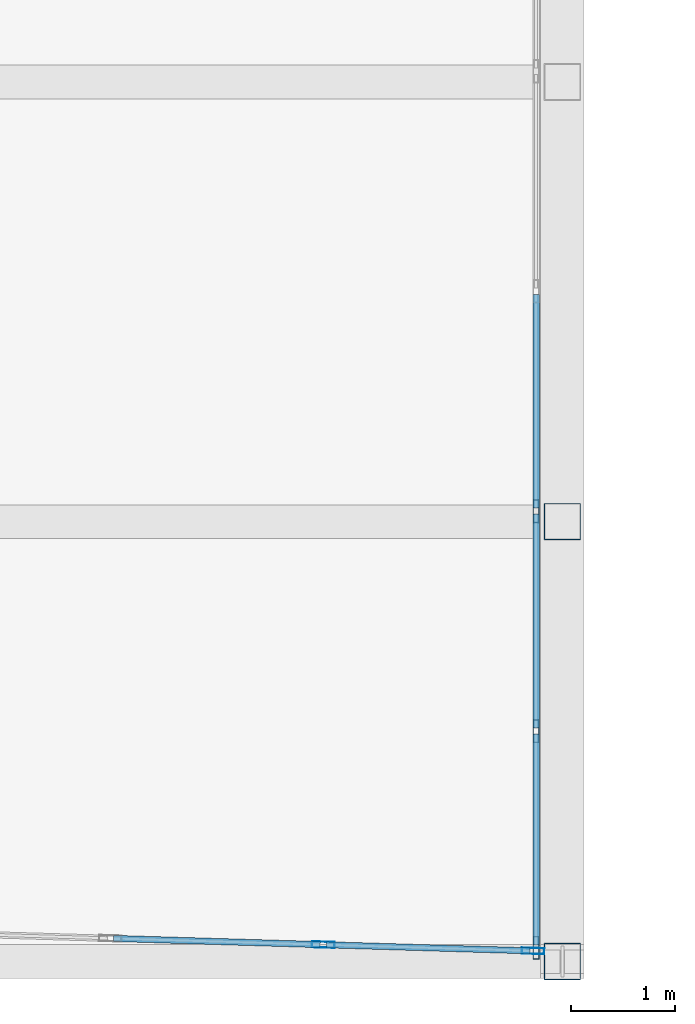
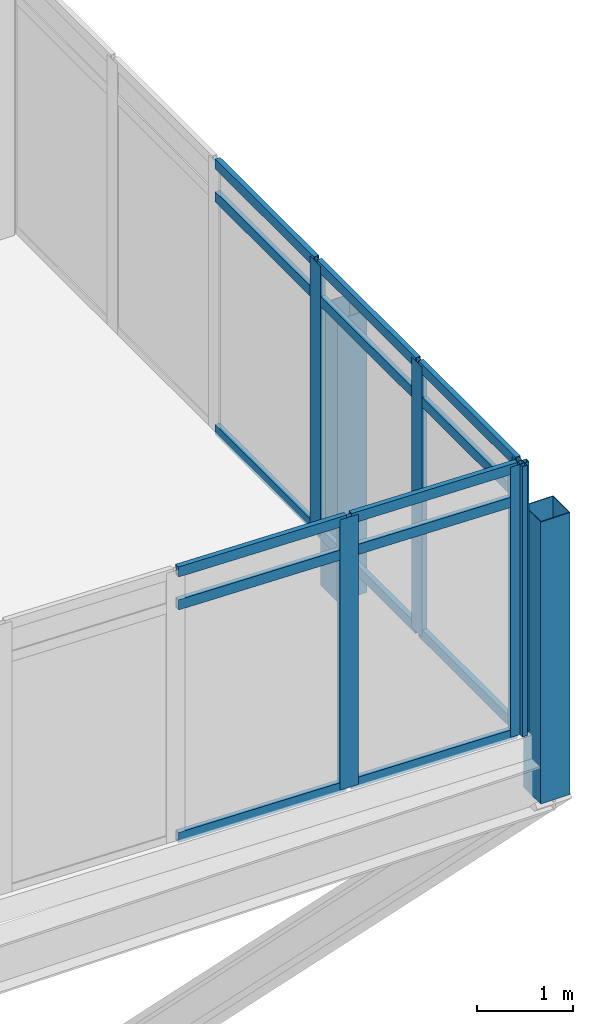
# One storey, part 12 of 37: 22 members, 2 elements without a shape of their own.
"""IFC4 building model written with IfcOpenShell, lengths in metres."""

from ifc_helpers import new_model, si_unit, direction, frame, origin, origin_2d, place, context, subcontext, project, spatial, hollow_rectangle, extrude, material, material_profile, profile_set, type_object, element, aggregate, save


model = new_model("IFC4")

# Units and contexts
model_context = context("Model", 3, precision=1e-05, world=origin(), true_north=direction((0.0, 1.0)))
body_context = subcontext(model_context, "Body", "Model", "MODEL_VIEW")
ifc_project = project(units=[si_unit("LENGTHUNIT", "METRE"), si_unit("AREAUNIT", "SQUARE_METRE"), si_unit("VOLUMEUNIT", "CUBIC_METRE"), si_unit("PLANEANGLEUNIT", "RADIAN"), si_unit("MASSUNIT", "GRAM", prefix="KILO")], contexts=[model_context])

# Site, building, storey
site_placement = place(None, origin())
site = spatial("IfcSite", under=ifc_project, at=site_placement, CompositionType="ELEMENT")
building_placement = place(site_placement, origin())
building = spatial("IfcBuilding", under=site, at=building_placement, Name="Ostrander Bayou Hotel Tower", CompositionType="ELEMENT")
storey_placement = place(building_placement, frame((0.0, 0.0, 93.0)))
storey = spatial("IfcBuildingStorey", under=building, at=storey_placement, Name="L23", CompositionType="ELEMENT", Elevation=93.0)

# Curtain wall, members
ifc_material_1 = material(Name="Aluminium and clear glass", Category="aluminium")
curtain_wall_type = type_object("IfcCurtainWallType", Name="CW-BAR glazed wall", PredefinedType="NOTDEFINED", material=ifc_material_1)
curtain_wall_1_placement = place(storey_placement, origin())
curtain_wall_1 = element("IfcCurtainWall", 1, at=curtain_wall_1_placement, inside=storey, type_object=curtain_wall_type, Name="CW-BAR L23:SB2S:T", PredefinedType="NOTDEFINED")
ifc_material_2 = material(Name="Aluminium", Category="aluminium")
ifc_material_profile_1 = material_profile(ifc_material_2, hollow_rectangle(XDim=0.06005859375, YDim=0.219970703125, WallThickness=0.00390625, at=origin_2d()))
ifc_profile_set_1 = profile_set([ifc_material_profile_1], Name="Aluminium")
member_type_1 = type_object("IfcMemberType", Name="CW-BR mullion 60 x 220 mm", PredefinedType="MULLION", material=ifc_profile_set_1)
member_1_placement = place(storey_placement, frame((11.310791015625, -32.03662109375, 0.0), z_axis=(0.0, 0.0, 1.0), x_axis=(0.029746242041, 0.999557482631, 0.0)))
member_1 = element("IfcMember", 2, at=member_1_placement, type_object=member_type_1, Name="CW-BAR mullion 13", PredefinedType="MULLION", context=body_context, shape_type="SweptSolid", body=[
    extrude(hollow_rectangle(XDim=0.06005859375, YDim=0.219970703125, WallThickness=0.00390625, at=origin_2d()), origin(), (0.0, 0.0, 1.0), 3.449951171875),
])
member_2_placement = place(storey_placement, frame((13.337158203125, -32.096923828125, 0.0), z_axis=(0.0, 0.0, 1.0), x_axis=(0.029746242041, 0.999557482631, 0.0)))
member_2 = element("IfcMember", 3, at=member_2_placement, type_object=member_type_1, Name="CW-BAR mullion 14", PredefinedType="MULLION", context=body_context, shape_type="SweptSolid", body=[
    extrude(hollow_rectangle(XDim=0.06005859375, YDim=0.219970703125, WallThickness=0.00390625, at=origin_2d()), origin(), (0.0, 0.0, 1.0), 3.449951171875),
])

curtain_wall_2_placement = place(storey_placement, origin())
curtain_wall_2 = element("IfcCurtainWall", 4, at=curtain_wall_2_placement, inside=storey, type_object=curtain_wall_type, Name="CW-BAR L23:SB2S:W", PredefinedType="NOTDEFINED")
member_3_placement = place(storey_placement, frame((13.3671875, -27.84765625, 0.0), z_axis=(0.0, 0.0, 1.0), x_axis=(1.0, 0.0, 0.0)))
member_3 = element("IfcMember", 5, at=member_3_placement, type_object=member_type_1, Name="CW-BAR mullion 9", PredefinedType="MULLION", context=body_context, shape_type="SweptSolid", body=[
    extrude(hollow_rectangle(XDim=0.06005859375, YDim=0.219970703125, WallThickness=0.00390625, at=origin_2d()), origin(), (0.0, 0.0, 1.0), 3.449951171875),
])
member_4_placement = place(storey_placement, frame((13.3671875, -29.97265625, 0.0), z_axis=(0.0, 0.0, 1.0), x_axis=(1.0, 0.0, 0.0)))
member_4 = element("IfcMember", 6, at=member_4_placement, type_object=member_type_1, Name="CW-BAR mullion 10", PredefinedType="MULLION", context=body_context, shape_type="SweptSolid", body=[
    extrude(hollow_rectangle(XDim=0.06005859375, YDim=0.219970703125, WallThickness=0.00390625, at=origin_2d()), origin(), (0.0, 0.0, 1.0), 3.449951171875),
])
member_5_placement = place(storey_placement, frame((13.3671875, -32.06787109375, 0.0), z_axis=(0.0, 0.0, 1.0), x_axis=(1.0, 0.0, 0.0)))
member_5 = element("IfcMember", 7, at=member_5_placement, type_object=member_type_1, Name="CW-BAR mullion 11", PredefinedType="MULLION", context=body_context, shape_type="SweptSolid", body=[
    extrude(hollow_rectangle(XDim=0.06005859375, YDim=0.219970703125, WallThickness=0.00390625, at=origin_2d()), origin(), (0.0, 0.0, 1.0), 3.449951171875),
])

# Member
ifc_material_3 = material(Name="Aluminium", Category="aluminium")
ifc_material_profile_2 = material_profile(ifc_material_3, hollow_rectangle(XDim=0.06005859375, YDim=0.1298828125, WallThickness=0.00390625, at=origin_2d()))
ifc_profile_set_2 = profile_set([ifc_material_profile_2], Name="Aluminium")
member_type_2 = type_object("IfcMemberType", Name="CW-BR transom 60 x 130 mm", PredefinedType="USERDEFINED", material=ifc_profile_set_2)
member_6_placement = place(storey_placement, frame((9.2841796875, -31.976318359375, 0.030029296875), z_axis=(0.999558835181, -0.029700757758, 0.0), x_axis=(0.029700757758, 0.999558835181, 0.0)))
member_6 = element("IfcMember", 8, at=member_6_placement, type_object=member_type_2, Name="CW-BAR transom 12.1", ObjectType="TRANSOM", PredefinedType="USERDEFINED", context=body_context, shape_type="SweptSolid", body=[
    extrude(hollow_rectangle(XDim=0.06005859375, YDim=0.1298828125, WallThickness=0.00390625, at=origin_2d()), origin(), (0.0, 0.0, 1.0), 1.99755859375),
])

member_7_placement = place(storey_placement, frame((9.2841796875, -31.976318359375, 3.0), z_axis=(0.999558835181, -0.029700757758, 0.0), x_axis=(0.029700757758, 0.999558835181, 0.0)))
member_7 = element("IfcMember", 9, at=member_7_placement, type_object=member_type_2, Name="CW-BAR transom 12.2", ObjectType="TRANSOM", PredefinedType="USERDEFINED", context=body_context, shape_type="SweptSolid", body=[
    extrude(hollow_rectangle(XDim=0.06005859375, YDim=0.1298828125, WallThickness=0.00390625, at=origin_2d()), origin(), (0.0, 0.0, 1.0), 1.99755859375),
])

member_8_placement = place(storey_placement, frame((9.2841796875, -31.976318359375, 3.419921875), z_axis=(0.999558835181, -0.029700757758, 0.0), x_axis=(0.029700757758, 0.999558835181, 0.0)))
member_8 = element("IfcMember", 10, at=member_8_placement, type_object=member_type_2, Name="CW-BAR transom 12.3", ObjectType="TRANSOM", PredefinedType="USERDEFINED", context=body_context, shape_type="SweptSolid", body=[
    extrude(hollow_rectangle(XDim=0.06005859375, YDim=0.1298828125, WallThickness=0.00390625, at=origin_2d()), origin(), (0.0, 0.0, 1.0), 1.99755859375),
])

member_9_placement = place(storey_placement, frame((11.340576171875, -32.03759765625, 0.030029296875), z_axis=(0.99956010596, -0.029657959693, 0.0), x_axis=(0.029657959693, 0.99956010596, 0.0)))
member_9 = element("IfcMember", 11, at=member_9_placement, type_object=member_type_2, Name="CW-BAR transom 13.1", ObjectType="TRANSOM", PredefinedType="USERDEFINED", context=body_context, shape_type="SweptSolid", body=[
    extrude(hollow_rectangle(XDim=0.06005859375, YDim=0.1298828125, WallThickness=0.00390625, at=origin_2d()), origin(), (0.0, 0.0, 1.0), 1.967529296875),
])

member_10_placement = place(storey_placement, frame((11.340576171875, -32.03759765625, 3.0), z_axis=(0.99956010596, -0.029657959693, 0.0), x_axis=(0.029657959693, 0.99956010596, 0.0)))
member_10 = element("IfcMember", 12, at=member_10_placement, type_object=member_type_2, Name="CW-BAR transom 13.2", ObjectType="TRANSOM", PredefinedType="USERDEFINED", context=body_context, shape_type="SweptSolid", body=[
    extrude(hollow_rectangle(XDim=0.06005859375, YDim=0.1298828125, WallThickness=0.00390625, at=origin_2d()), origin(), (0.0, 0.0, 1.0), 1.967529296875),
])

member_11_placement = place(storey_placement, frame((11.340576171875, -32.03759765625, 3.419921875), z_axis=(0.99956010596, -0.029657959693, 0.0), x_axis=(0.029657959693, 0.99956010596, 0.0)))
member_11 = element("IfcMember", 13, at=member_11_placement, type_object=member_type_2, Name="CW-BAR transom 13.3", ObjectType="TRANSOM", PredefinedType="USERDEFINED", context=body_context, shape_type="SweptSolid", body=[
    extrude(hollow_rectangle(XDim=0.06005859375, YDim=0.1298828125, WallThickness=0.00390625, at=origin_2d()), origin(), (0.0, 0.0, 1.0), 1.967529296875),
])

aggregate(curtain_wall_1, [member_1, member_2, member_6, member_7, member_8, member_9, member_10, member_11])

member_12_placement = place(storey_placement, frame((13.3671875, -25.752685546875, 0.030029296875), z_axis=(0.0, -1.0, 0.0), x_axis=(1.0, 0.0, 0.0)))
member_12 = element("IfcMember", 14, at=member_12_placement, type_object=member_type_2, Name="CW-BAR transom 8.1", ObjectType="TRANSOM", PredefinedType="USERDEFINED", context=body_context, shape_type="SweptSolid", body=[
    extrude(hollow_rectangle(XDim=0.06005859375, YDim=0.1298828125, WallThickness=0.00390625, at=origin_2d()), origin(), (0.0, 0.0, 1.0), 2.06494140625),
])

member_13_placement = place(storey_placement, frame((13.3671875, -25.752685546875, 3.0), z_axis=(0.0, -1.0, 0.0), x_axis=(1.0, 0.0, 0.0)))
member_13 = element("IfcMember", 15, at=member_13_placement, type_object=member_type_2, Name="CW-BAR transom 8.2", ObjectType="TRANSOM", PredefinedType="USERDEFINED", context=body_context, shape_type="SweptSolid", body=[
    extrude(hollow_rectangle(XDim=0.06005859375, YDim=0.1298828125, WallThickness=0.00390625, at=origin_2d()), origin(), (0.0, 0.0, 1.0), 2.06494140625),
])

member_14_placement = place(storey_placement, frame((13.3671875, -25.752685546875, 3.419921875), z_axis=(0.0, -1.0, 0.0), x_axis=(1.0, 0.0, 0.0)))
member_14 = element("IfcMember", 16, at=member_14_placement, type_object=member_type_2, Name="CW-BAR transom 8.3", ObjectType="TRANSOM", PredefinedType="USERDEFINED", context=body_context, shape_type="SweptSolid", body=[
    extrude(hollow_rectangle(XDim=0.06005859375, YDim=0.1298828125, WallThickness=0.00390625, at=origin_2d()), origin(), (0.0, 0.0, 1.0), 2.06494140625),
])

member_15_placement = place(storey_placement, frame((13.3671875, -27.877685546875, 0.030029296875), z_axis=(0.0, -1.0, 0.0), x_axis=(1.0, 0.0, 0.0)))
member_15 = element("IfcMember", 17, at=member_15_placement, type_object=member_type_2, Name="CW-BAR transom 9.1", ObjectType="TRANSOM", PredefinedType="USERDEFINED", context=body_context, shape_type="SweptSolid", body=[
    extrude(hollow_rectangle(XDim=0.06005859375, YDim=0.1298828125, WallThickness=0.00390625, at=origin_2d()), origin(), (0.0, 0.0, 1.0), 2.065185546875),
])

member_16_placement = place(storey_placement, frame((13.3671875, -27.877685546875, 3.0), z_axis=(0.0, -1.0, 0.0), x_axis=(1.0, 0.0, 0.0)))
member_16 = element("IfcMember", 18, at=member_16_placement, type_object=member_type_2, Name="CW-BAR transom 9.2", ObjectType="TRANSOM", PredefinedType="USERDEFINED", context=body_context, shape_type="SweptSolid", body=[
    extrude(hollow_rectangle(XDim=0.06005859375, YDim=0.1298828125, WallThickness=0.00390625, at=origin_2d()), origin(), (0.0, 0.0, 1.0), 2.065185546875),
])

member_17_placement = place(storey_placement, frame((13.3671875, -27.877685546875, 3.419921875), z_axis=(0.0, -1.0, 0.0), x_axis=(1.0, 0.0, 0.0)))
member_17 = element("IfcMember", 19, at=member_17_placement, type_object=member_type_2, Name="CW-BAR transom 9.3", ObjectType="TRANSOM", PredefinedType="USERDEFINED", context=body_context, shape_type="SweptSolid", body=[
    extrude(hollow_rectangle(XDim=0.06005859375, YDim=0.1298828125, WallThickness=0.00390625, at=origin_2d()), origin(), (0.0, 0.0, 1.0), 2.065185546875),
])

member_18_placement = place(storey_placement, frame((13.3671875, -30.002685546875, 0.030029296875), z_axis=(0.0, -1.0, 0.0), x_axis=(1.0, 0.0, 0.0)))
member_18 = element("IfcMember", 20, at=member_18_placement, type_object=member_type_2, Name="CW-BAR transom 10.1", ObjectType="TRANSOM", PredefinedType="USERDEFINED", context=body_context, shape_type="SweptSolid", body=[
    extrude(hollow_rectangle(XDim=0.06005859375, YDim=0.1298828125, WallThickness=0.00390625, at=origin_2d()), origin(), (0.0, 0.0, 1.0), 2.03515625),
])

member_19_placement = place(storey_placement, frame((13.3671875, -30.002685546875, 3.0), z_axis=(0.0, -1.0, 0.0), x_axis=(1.0, 0.0, 0.0)))
member_19 = element("IfcMember", 21, at=member_19_placement, type_object=member_type_2, Name="CW-BAR transom 10.2", ObjectType="TRANSOM", PredefinedType="USERDEFINED", context=body_context, shape_type="SweptSolid", body=[
    extrude(hollow_rectangle(XDim=0.06005859375, YDim=0.1298828125, WallThickness=0.00390625, at=origin_2d()), origin(), (0.0, 0.0, 1.0), 2.03515625),
])

member_20_placement = place(storey_placement, frame((13.3671875, -30.002685546875, 3.419921875), z_axis=(0.0, -1.0, 0.0), x_axis=(1.0, 0.0, 0.0)))
member_20 = element("IfcMember", 22, at=member_20_placement, type_object=member_type_2, Name="CW-BAR transom 10.3", ObjectType="TRANSOM", PredefinedType="USERDEFINED", context=body_context, shape_type="SweptSolid", body=[
    extrude(hollow_rectangle(XDim=0.06005859375, YDim=0.1298828125, WallThickness=0.00390625, at=origin_2d()), origin(), (0.0, 0.0, 1.0), 2.03515625),
])

aggregate(curtain_wall_2, [member_3, member_4, member_5, member_12, member_13, member_14, member_15, member_16, member_17, member_18, member_19, member_20])

# Members
ifc_material_4 = material(Name="Steel ASTM A500 Gr C", Category="steel")
ifc_material_profile_3 = material_profile(ifc_material_4, hollow_rectangle(XDim=0.355712890625, YDim=0.355712890625, WallThickness=0.0087890625, at=origin_2d()))
ifc_profile_set_3 = profile_set([ifc_material_profile_3], Name="Steel ASTM A500 Gr C")
member_type_3 = type_object("IfcMemberType", Name="TH3 bar hanger HSS14x14x3/8", PredefinedType="POST", material=ifc_profile_set_3)
for number, where, z_axis, x_axis, name in (
    (23, (13.6201171875, -27.9501953125, -0.771728515625), (0.0, 0.0, 1.0), (1.0, 0.0, 0.0), "TH3 SB2SB H3-1"),
    (24, (13.6201171875, -32.199951171875, -0.771728515625), (0.0, 0.0, 1.0), (1.0, 0.0, 0.0), "TH3 SB2SB H4-1"),
):
    element("IfcMember", number, at=place(storey_placement, frame(where, z_axis=z_axis, x_axis=x_axis)), inside=storey, type_object=member_type_3, Name=name, PredefinedType="POST", context=body_context, shape_type="SweptSolid", body=[
        extrude(hollow_rectangle(XDim=0.355712890625, YDim=0.355712890625, WallThickness=0.0087890625, at=origin_2d()), origin(), (0.0, 0.0, 1.0), 3.599853515625),
    ])

save(model, "model.ifc")
